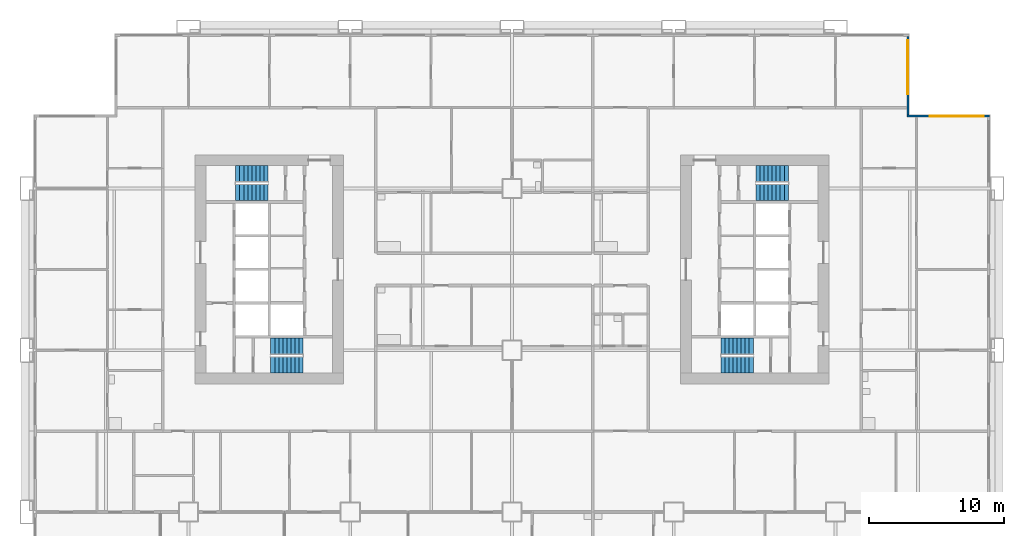
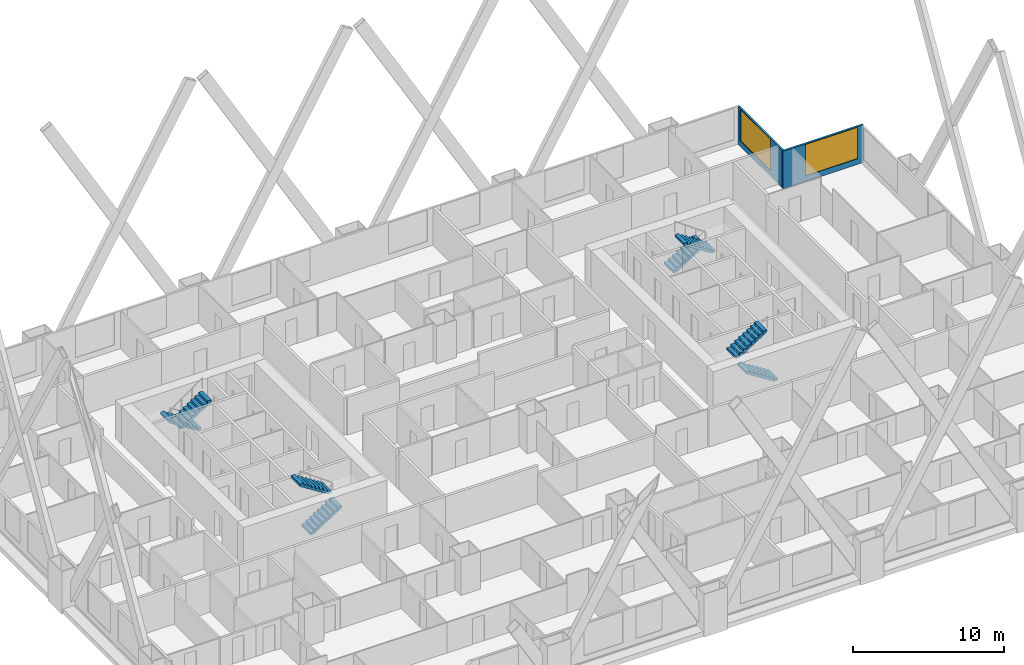
# One storey, part 11 of 13: 8 stair flights, 2 walls, 2 windows, 2 openings, 4 elements without a shape of their own.
"""IFC4 building model written with IfcOpenShell, lengths in metres."""

import ifcopenshell
import ifcopenshell.guid

model = None  # the IFC model being written
_history = None  # IfcOwnerHistory: only IFC2X3 demands one
_inside = {}  # id of a spatial element -> (the spatial element, [elements in it])
_under = {}  # id of a project, library or spatial element -> (it, [spatial elements below it])
_declared = {}  # id of a project -> (the project, [libraries it declares])
_typed = {}  # id of a type object -> (the type object, [elements of that type])
_made_of = {}  # id of a material, layer set ... -> (it, [elements and type objects made of it])


def new_model(schema):
    """Start an empty IFC model of exactly this schema.

    Asked for "IFC4X3", IfcOpenShell would pick the latest addendum, in which some entities
    have other attributes; the version numbers below select the first issue.
    IFC2X3 requires an IfcOwnerHistory on every rooted entity: one is made here for all.
    """
    global model, _history
    if schema == "IFC4X3":
        model = ifcopenshell.file(schema_version=(4, 3, 0, 0))
    else:
        model = ifcopenshell.file(schema=schema)
    _inside.clear()
    _under.clear()
    _declared.clear()
    _typed.clear()
    _made_of.clear()
    _history = None
    if model.schema == "IFC2X3":
        org = make("IfcOrganization", Name="unknown")
        user = make(
            "IfcPersonAndOrganization",
            ThePerson=make("IfcPerson", FamilyName="unknown"),
            TheOrganization=org,
        )
        app = make(
            "IfcApplication",
            ApplicationDeveloper=org,
            Version="unknown",
            ApplicationFullName="unknown",
            ApplicationIdentifier="unknown",
        )
        _history = make(
            "IfcOwnerHistory",
            OwningUser=user,
            OwningApplication=app,
            ChangeAction="ADDED",
            CreationDate=0,
        )
    return model


def make(cls, **values):
    """One entity of the class cls with the attributes given. An attribute that is None is left unset."""
    return model.create_entity(
        cls, **{name: value for name, value in values.items() if value is not None}
    )


def rooted(cls, **values):
    """An entity with a GlobalId (a new one), such as an element, a storey or a relation."""
    return make(cls, GlobalId=ifcopenshell.guid.new(), OwnerHistory=_history, **values)


def si_unit(unit_type, name, prefix=None):
    """IfcSIUnit, for example si_unit("LENGTHUNIT", "METRE", prefix="MILLI")."""
    return make("IfcSIUnit", UnitType=unit_type, Prefix=prefix, Name=name)


def assignment(units):
    """IfcUnitAssignment: the units of a project."""
    return None if units is None else make("IfcUnitAssignment", Units=units)


def point(xyz):
    """IfcCartesianPoint."""
    return None if xyz is None else make("IfcCartesianPoint", Coordinates=xyz)


def direction(xyz):
    """IfcDirection."""
    return None if xyz is None else make("IfcDirection", DirectionRatios=xyz)


def frame(location, z_axis=None, x_axis=None):
    """IfcAxis2Placement3D, a coordinate frame: its origin and axes. An axis left out is left unset."""
    return make(
        "IfcAxis2Placement3D",
        Location=point(location),
        Axis=direction(z_axis),
        RefDirection=direction(x_axis),
    )


def frame_2d(location, x_axis=None):
    """IfcAxis2Placement2D, a coordinate frame in the plane: its origin and x axis."""
    return make(
        "IfcAxis2Placement2D", Location=point(location), RefDirection=direction(x_axis)
    )


def origin():
    """The frame at (0, 0, 0) with its axes left unset."""
    return frame((0.0, 0.0, 0.0))


def place(relative_to, where):
    """IfcLocalPlacement: puts the frame where relative to a parent placement (None: the world)."""
    return make(
        "IfcLocalPlacement", PlacementRelTo=relative_to, RelativePlacement=where
    )


def context(
    kind, dimensions, precision=None, world=None, true_north=None, identifier=None
):
    """IfcGeometricRepresentationContext, for example the 3D "Model" context."""
    return make(
        "IfcGeometricRepresentationContext",
        ContextIdentifier=identifier,
        ContextType=kind,
        CoordinateSpaceDimension=dimensions,
        Precision=precision,
        WorldCoordinateSystem=world,
        TrueNorth=true_north,
    )


def subcontext(parent, identifier, kind, view, scale=None):
    """IfcGeometricRepresentationSubContext, for example "Body" below "Model"."""
    return make(
        "IfcGeometricRepresentationSubContext",
        ContextIdentifier=identifier,
        ContextType=kind,
        ParentContext=parent,
        TargetScale=scale,
        TargetView=view,
    )


def project(units=None, contexts=None):
    """IfcProject with its units and contexts."""
    return rooted(
        "IfcProject",
        Name="project",
        RepresentationContexts=contexts,
        UnitsInContext=assignment(units),
    )


def spatial(cls, under=None, at=None, **own):
    """A site, building, storey or space (cls), placed at a placement, below another one or the project."""
    s = rooted(cls, ObjectPlacement=at, **own)
    if under is not None:
        _under.setdefault(under.id(), (under, []))[1].append(s)
    return s


def polyline(points):
    """IfcPolyline through the points."""
    return make("IfcPolyline", Points=[point(p) for p in points])


def profile(cls, at=None, kind="AREA", **sizes):
    """A parametric profile (cls). Its sizes go by their IFC names, for example OverallWidth=200.0."""
    return make(cls, ProfileType=kind, Position=at, **sizes)


def rectangle(**sizes):
    """IfcRectangleProfileDef."""
    return profile("IfcRectangleProfileDef", **sizes)


def outline(outer, holes=None, kind="AREA"):
    """IfcArbitraryClosedProfileDef: a profile drawn as a closed curve; with holes, ...WithVoids."""
    if holes is None:
        return make("IfcArbitraryClosedProfileDef", ProfileType=kind, OuterCurve=outer)
    return make(
        "IfcArbitraryProfileDefWithVoids",
        ProfileType=kind,
        OuterCurve=outer,
        InnerCurves=holes,
    )


def extrude(swept, where, along, depth):
    """IfcExtrudedAreaSolid: the profile swept, set in the frame where, extruded along a direction by depth."""
    return make(
        "IfcExtrudedAreaSolid",
        SweptArea=swept,
        Position=where,
        ExtrudedDirection=direction(along),
        Depth=depth,
    )


def shape(context_of_items, identifier, shape_type, items):
    """IfcShapeRepresentation: the items that make up one representation, for example the "Body"."""
    return make(
        "IfcShapeRepresentation",
        ContextOfItems=context_of_items,
        RepresentationIdentifier=identifier,
        RepresentationType=shape_type,
        Items=items,
    )


def material(Name=None, Category=None):
    """IfcMaterial."""
    return make("IfcMaterial", Name=Name, Category=Category)


def layer(
    of_material, thickness, ventilated=None, Name=None, Category=None, Priority=None
):
    """IfcMaterialLayer: one layer of a wall or slab, of a material (None: an air gap)."""
    return make(
        "IfcMaterialLayer",
        Material=of_material,
        LayerThickness=thickness,
        IsVentilated=ventilated,
        Name=Name,
        Category=Category,
        Priority=Priority,
    )


def layer_set(layers, Name=None):
    """IfcMaterialLayerSet."""
    return make("IfcMaterialLayerSet", MaterialLayers=layers, LayerSetName=Name)


def made_of(thing, what):
    """Note that an element or type object is made of a material, layer set ...; save() writes the relation."""
    if what is not None:
        _made_of.setdefault(what.id(), (what, []))[1].append(thing)
    return thing


def type_object(cls, material=None, **own):
    """A type object (cls), such as IfcWallType, which elements share."""
    return made_of(rooted(cls, **own), material)


def element(
    cls,
    number,
    at=None,
    inside=None,
    cuts=None,
    type_object=None,
    material=None,
    context=None,
    identifier="Body",
    shape_type=None,
    held_by="IfcProductDefinitionShape",
    body=None,
    shapes=None,
    **own,
):
    """One element of the class cls, such as IfcWall. Its Tag is "e" and its number.

    at: its placement. inside: the storey or other place that contains it. cuts: it is an
    opening in that element (IfcRelVoidsElement). A single representation is given by context,
    identifier, shape_type and body (its items); several are given by shapes. held_by: the class
    of the entity that holds the representations. save() writes the other relations.
    """
    e = rooted(cls, Tag="e%d" % number, ObjectPlacement=at, **own)
    if body is not None:
        shapes = [shape(context, identifier, shape_type, body)]
    if shapes is not None:
        e.Representation = make(held_by, Representations=shapes)
    if inside is not None:
        _inside.setdefault(inside.id(), (inside, []))[1].append(e)
    if cuts is not None:
        rooted(
            "IfcRelVoidsElement", RelatingBuildingElement=cuts, RelatedOpeningElement=e
        )
    if type_object is not None:
        _typed.setdefault(type_object.id(), (type_object, []))[1].append(e)
    return made_of(e, material)


def fill(opening, filler):
    """IfcRelFillsElement: the door or window that sits in an opening."""
    return rooted(
        "IfcRelFillsElement",
        RelatingOpeningElement=opening,
        RelatedBuildingElement=filler,
    )


def aggregate(whole, parts):
    """IfcRelAggregates: a whole, such as a stair, and the parts it consists of."""
    return rooted("IfcRelAggregates", RelatingObject=whole, RelatedObjects=parts)


def save(model, path):
    """Write the relations noted so far, then the file.

    IfcRelAggregates (storeys below a building ...), IfcRelContainedInSpatialStructure (elements
    in a storey), IfcRelDefinesByType, IfcRelAssociatesMaterial and IfcRelDeclares: one each for
    every whole, place, type object, material and project.
    """
    for whole, parts in _under.values():
        aggregate(whole, parts)
    for where, things in _inside.values():
        rooted(
            "IfcRelContainedInSpatialStructure",
            RelatedElements=things,
            RelatingStructure=where,
        )
    for kind, things in _typed.values():
        rooted("IfcRelDefinesByType", RelatedObjects=things, RelatingType=kind)
    for what, things in _made_of.values():
        rooted("IfcRelAssociatesMaterial", RelatedObjects=things, RelatingMaterial=what)
    for by, libraries in _declared.values():
        rooted("IfcRelDeclares", RelatingContext=by, RelatedDefinitions=libraries)
    model.write(path)


model = new_model("IFC4")

# Units and contexts
model_context = context("Model", 3, precision=1e-05, world=origin(), true_north=direction((0.0, 1.0)))
body_context = subcontext(model_context, "Body", "Model", "MODEL_VIEW")
ifc_project = project(units=[si_unit("LENGTHUNIT", "METRE"), si_unit("AREAUNIT", "SQUARE_METRE"), si_unit("VOLUMEUNIT", "CUBIC_METRE"), si_unit("PLANEANGLEUNIT", "RADIAN"), si_unit("MASSUNIT", "GRAM", prefix="KILO")], contexts=[model_context])

# Site, building, storey
site_placement = place(None, origin())
site = spatial("IfcSite", under=ifc_project, at=site_placement, CompositionType="ELEMENT")
building_placement = place(site_placement, origin())
building = spatial("IfcBuilding", under=site, at=building_placement, Name="Kitamizu Gate Tower and Museum", CompositionType="ELEMENT")
storey_placement = place(building_placement, frame((0.0, 0.0, 50.699951171875)))
storey = spatial("IfcBuildingStorey", under=building, at=storey_placement, Name="L11", CompositionType="ELEMENT", Elevation=50.699951171875)

# Wall, opening, window
ifc_material_1 = material(Name="Bronze anodised aluminium frame with insulated spandrel and tinted glass", Category="aluminium")
ifc_layer = layer(ifc_material_1, 0.14990234375)
ifc_layer_set = layer_set([ifc_layer], Name="Bronze anodised aluminium frame with insulated spandrel and tinted glass")
wall_type = type_object("IfcWallType", Name="WINDOW WALL 150 BRONZE FRAME EI 30", PredefinedType="ELEMENTEDWALL", material=ifc_layer_set)
wall_1_placement = place(storey_placement, frame((65.2900390625, 41.364990234375, 0.0), z_axis=(0.0, 0.0, 1.0), x_axis=(1.0, 0.0, 0.0)))
wall_1 = element("IfcWall", 1, at=wall_1_placement, inside=storey, type_object=wall_type, Name="Window wall north L11", PredefinedType="ELEMENTEDWALL", context=body_context, shape_type="SweptSolid", body=[
    extrude(rectangle(XDim=6.14990234375, YDim=0.14990234375, at=frame_2d((3.074951171875, 0.0))), origin(), (0.0, 0.0, 1.0), 3.050048828125),
])
opening_1_placement = place(wall_1_placement, frame((1.7099609375, 0.0, 0.449951171875)))
opening_1 = element("IfcOpeningElement", 2, at=opening_1_placement, cuts=wall_1, Name="Opening W16", PredefinedType="OPENING", context=body_context, shape_type="SweptSolid", body=[
    extrude(rectangle(XDim=4.0, YDim=2.550048828125, at=frame_2d((2.0, 1.27490234375))), frame((0.0, 0.0849609375, 0.0), z_axis=(0.0, -1.0, 0.0), x_axis=(1.0, 0.0, 0.0)), (0.0, 0.0, 1.0), 0.169921875),
])
ifc_material_2 = material(Name="Bronze anodised aluminium frame, tinted triple glazing", Category="aluminium")
window_type = type_object("IfcWindowType", Name="WINDOW 4000 x 2550 SILL 450", PartitioningType="SINGLE_PANEL", PredefinedType="WINDOW", material=ifc_material_2)
window_1_placement = place(opening_1_placement, origin())
window_1 = element("IfcWindow", 3, at=window_1_placement, inside=storey, type_object=window_type, Name="Window W16 L11", OverallHeight=2.550048828125, OverallWidth=4.0, PartitioningType="SINGLE_PANEL", PredefinedType="WINDOW", context=body_context, shape_type="SweptSolid", body=[
    extrude(rectangle(XDim=4.0, YDim=2.550048828125, at=frame_2d((2.0, 1.27490234375))), frame((0.0, 0.030029296875, 0.0), z_axis=(0.0, -1.0, 0.0), x_axis=(1.0, 0.0, 0.0)), (0.0, 0.0, 1.0), 0.06005859375),
])
fill(opening_1, window_1)

wall_2_placement = place(storey_placement, frame((65.364990234375, 41.43994140625, 0.0), z_axis=(0.0, 0.0, 1.0), x_axis=(0.0, 1.0, 0.0)))
wall_2 = element("IfcWall", 4, at=wall_2_placement, inside=storey, type_object=wall_type, Name="Window wall east L11", PredefinedType="ELEMENTEDWALL", context=body_context, shape_type="SweptSolid", body=[
    extrude(rectangle(XDim=5.85009765625, YDim=0.14990234375, at=frame_2d((2.925048828125, 0.0))), origin(), (0.0, 0.0, 1.0), 3.050048828125),
])
opening_2_placement = place(wall_2_placement, frame((1.56005859375, 0.0, 0.449951171875)))
opening_2 = element("IfcOpeningElement", 5, at=opening_2_placement, cuts=wall_2, Name="Opening W16", PredefinedType="OPENING", context=body_context, shape_type="SweptSolid", body=[
    extrude(rectangle(XDim=4.0, YDim=2.550048828125, at=frame_2d((2.0, 1.27490234375))), frame((0.0, 0.0849609375, 0.0), z_axis=(0.0, -1.0, 0.0), x_axis=(1.0, 0.0, 0.0)), (0.0, 0.0, 1.0), 0.169921875),
])
window_2_placement = place(opening_2_placement, origin())
window_2 = element("IfcWindow", 6, at=window_2_placement, inside=storey, type_object=window_type, Name="Window W16 L11", OverallHeight=2.550048828125, OverallWidth=4.0, PartitioningType="SINGLE_PANEL", PredefinedType="WINDOW", context=body_context, shape_type="SweptSolid", body=[
    extrude(rectangle(XDim=4.0, YDim=2.550048828125, at=frame_2d((2.0, 1.27490234375))), frame((0.0, 0.030029296875, 0.0), z_axis=(0.0, -1.0, 0.0), x_axis=(1.0, 0.0, 0.0)), (0.0, 0.0, 1.0), 0.06005859375),
])
fill(opening_2, window_2)

# Stair, stair flights
ifc_material_3 = material(Name="Concrete Fc42", Category="concrete")
stair_type = type_object("IfcStairType", Name="Exit stair 1200 wide 192 rise 300 going", PredefinedType="HALF_TURN_STAIR", material=ifc_material_3)
stair_1_placement = place(storey_placement, origin())
stair_1 = element("IfcStair", 7, at=stair_1_placement, inside=storey, type_object=stair_type, Name="Exit stair ST1", PredefinedType="HALF_TURN_STAIR")
ifc_material_4 = material(Name="Concrete Fc42", Category="concrete")
stair_flight_type = type_object("IfcStairFlightType", Name="Stair flight 1200 wide 192 rise 300 going", PredefinedType="STRAIGHT", material=ifc_material_4)
stair_flight_1_placement = place(storey_placement, frame((18.10009765625, 22.89990234375, 0.0), z_axis=(0.0, 0.0, 1.0), x_axis=(1.0, 0.0, 0.0)))
stair_flight_1 = element("IfcStairFlight", 8, at=stair_flight_1_placement, type_object=stair_flight_type, Name="ST1 flight 1", NumberOfRisers=9, NumberOfTreads=8, PredefinedType="STRAIGHT", RiserHeight=0.191666667, TreadLength=0.3, context=body_context, shape_type="SweptSolid", body=[
    extrude(outline(polyline([(0.0, 0.0), (0.0, 0.191650390625), (0.300048828125, 0.191650390625), (0.300048828125, 0.38330078125), (0.60009765625, 0.38330078125), (0.60009765625, 0.574951171875), (0.89990234375, 0.574951171875), (0.89990234375, 0.7666015625), (1.199951171875, 0.7666015625), (1.199951171875, 0.958251953125), (1.5, 0.958251953125), (1.5, 1.14990234375), (1.800048828125, 1.14990234375), (1.800048828125, 1.341552734375), (2.10009765625, 1.341552734375), (2.10009765625, 1.533447265625), (2.39990234375, 1.533447265625), (2.39990234375, 1.72509765625), (2.39990234375, 1.35546875), (0.2783203125, 0.0), (0.0, 0.0)])), frame((0.0, 0.60009765625, 0.0), z_axis=(0.0, -1.0, 0.0), x_axis=(1.0, 0.0, 0.0)), (0.0, 0.0, 1.0), 1.199951171875),
])
stair_flight_2_placement = place(storey_placement, frame((20.5, 24.300048828125, 1.72509765625), z_axis=(0.0, 0.0, 1.0), x_axis=(-1.0, 0.0, 0.0)))
stair_flight_2 = element("IfcStairFlight", 9, at=stair_flight_2_placement, type_object=stair_flight_type, Name="ST1 flight 2", NumberOfRisers=9, NumberOfTreads=8, PredefinedType="STRAIGHT", RiserHeight=0.191666667, TreadLength=0.3, context=body_context, shape_type="SweptSolid", body=[
    extrude(outline(polyline([(0.0, 0.0), (0.0, 0.191650390625), (0.300048828125, 0.191650390625), (0.300048828125, 0.38330078125), (0.60009765625, 0.38330078125), (0.60009765625, 0.574951171875), (0.89990234375, 0.574951171875), (0.89990234375, 0.7666015625), (1.199951171875, 0.7666015625), (1.199951171875, 0.958251953125), (1.5, 0.958251953125), (1.5, 1.14990234375), (1.800048828125, 1.14990234375), (1.800048828125, 1.341552734375), (2.10009765625, 1.341552734375), (2.10009765625, 1.533447265625), (2.39990234375, 1.533447265625), (2.39990234375, 1.72509765625), (2.39990234375, 1.35546875), (0.2783203125, 0.0), (0.0, 0.0)])), frame((0.0, 0.60009765625, 0.0), z_axis=(0.0, -1.0, 0.0), x_axis=(1.0, 0.0, 0.0)), (0.0, 0.0, 1.0), 1.199951171875),
])
aggregate(stair_1, [stair_flight_1, stair_flight_2])

stair_2_placement = place(storey_placement, origin())
stair_2 = element("IfcStair", 10, at=stair_2_placement, inside=storey, type_object=stair_type, Name="Exit stair ST2", PredefinedType="HALF_TURN_STAIR")
stair_flight_3_placement = place(storey_placement, frame((17.89990234375, 37.10009765625, 0.0), z_axis=(0.0, 0.0, 1.0), x_axis=(-1.0, 0.0, 0.0)))
stair_flight_3 = element("IfcStairFlight", 11, at=stair_flight_3_placement, type_object=stair_flight_type, Name="ST2 flight 1", NumberOfRisers=9, NumberOfTreads=8, PredefinedType="STRAIGHT", RiserHeight=0.191666667, TreadLength=0.3, context=body_context, shape_type="SweptSolid", body=[
    extrude(outline(polyline([(0.0, 0.0), (0.0, 0.191650390625), (0.300048828125, 0.191650390625), (0.300048828125, 0.38330078125), (0.60009765625, 0.38330078125), (0.60009765625, 0.574951171875), (0.89990234375, 0.574951171875), (0.89990234375, 0.7666015625), (1.199951171875, 0.7666015625), (1.199951171875, 0.958251953125), (1.5, 0.958251953125), (1.5, 1.14990234375), (1.800048828125, 1.14990234375), (1.800048828125, 1.341552734375), (2.10009765625, 1.341552734375), (2.10009765625, 1.533447265625), (2.39990234375, 1.533447265625), (2.39990234375, 1.72509765625), (2.39990234375, 1.35546875), (0.2783203125, 0.0), (0.0, 0.0)])), frame((0.0, 0.60009765625, 0.0), z_axis=(0.0, -1.0, 0.0), x_axis=(1.0, 0.0, 0.0)), (0.0, 0.0, 1.0), 1.199951171875),
])
stair_flight_4_placement = place(storey_placement, frame((15.5, 35.699951171875, 1.72509765625), z_axis=(0.0, 0.0, 1.0), x_axis=(1.0, 0.0, 0.0)))
stair_flight_4 = element("IfcStairFlight", 12, at=stair_flight_4_placement, type_object=stair_flight_type, Name="ST2 flight 2", NumberOfRisers=9, NumberOfTreads=8, PredefinedType="STRAIGHT", RiserHeight=0.191666667, TreadLength=0.3, context=body_context, shape_type="SweptSolid", body=[
    extrude(outline(polyline([(0.0, 0.0), (0.0, 0.191650390625), (0.300048828125, 0.191650390625), (0.300048828125, 0.38330078125), (0.60009765625, 0.38330078125), (0.60009765625, 0.574951171875), (0.89990234375, 0.574951171875), (0.89990234375, 0.7666015625), (1.199951171875, 0.7666015625), (1.199951171875, 0.958251953125), (1.5, 0.958251953125), (1.5, 1.14990234375), (1.800048828125, 1.14990234375), (1.800048828125, 1.341552734375), (2.10009765625, 1.341552734375), (2.10009765625, 1.533447265625), (2.39990234375, 1.533447265625), (2.39990234375, 1.72509765625), (2.39990234375, 1.35546875), (0.2783203125, 0.0), (0.0, 0.0)])), frame((0.0, 0.60009765625, 0.0), z_axis=(0.0, -1.0, 0.0), x_axis=(1.0, 0.0, 0.0)), (0.0, 0.0, 1.0), 1.199951171875),
])
aggregate(stair_2, [stair_flight_3, stair_flight_4])

stair_3_placement = place(storey_placement, origin())
stair_3 = element("IfcStair", 13, at=stair_3_placement, inside=storey, type_object=stair_type, Name="Exit stair ST3", PredefinedType="HALF_TURN_STAIR")
stair_flight_5_placement = place(storey_placement, frame((53.89990234375, 22.89990234375, 0.0), z_axis=(0.0, 0.0, 1.0), x_axis=(-1.0, 0.0, 0.0)))
stair_flight_5 = element("IfcStairFlight", 14, at=stair_flight_5_placement, type_object=stair_flight_type, Name="ST3 flight 1", NumberOfRisers=9, NumberOfTreads=8, PredefinedType="STRAIGHT", RiserHeight=0.191666667, TreadLength=0.3, context=body_context, shape_type="SweptSolid", body=[
    extrude(outline(polyline([(0.0, 0.0), (0.0, 0.191650390625), (0.300048828125, 0.191650390625), (0.300048828125, 0.38330078125), (0.60009765625, 0.38330078125), (0.60009765625, 0.574951171875), (0.89990234375, 0.574951171875), (0.89990234375, 0.7666015625), (1.199951171875, 0.7666015625), (1.199951171875, 0.958251953125), (1.5, 0.958251953125), (1.5, 1.14990234375), (1.800048828125, 1.14990234375), (1.800048828125, 1.341552734375), (2.10009765625, 1.341552734375), (2.10009765625, 1.533447265625), (2.39990234375, 1.533447265625), (2.39990234375, 1.72509765625), (2.39990234375, 1.35546875), (0.2783203125, 0.0), (0.0, 0.0)])), frame((0.0, 0.60009765625, 0.0), z_axis=(0.0, -1.0, 0.0), x_axis=(1.0, 0.0, 0.0)), (0.0, 0.0, 1.0), 1.199951171875),
])
stair_flight_6_placement = place(storey_placement, frame((51.5, 24.300048828125, 1.72509765625), z_axis=(0.0, 0.0, 1.0), x_axis=(1.0, 0.0, 0.0)))
stair_flight_6 = element("IfcStairFlight", 15, at=stair_flight_6_placement, type_object=stair_flight_type, Name="ST3 flight 2", NumberOfRisers=9, NumberOfTreads=8, PredefinedType="STRAIGHT", RiserHeight=0.191666667, TreadLength=0.3, context=body_context, shape_type="SweptSolid", body=[
    extrude(outline(polyline([(0.0, 0.0), (0.0, 0.191650390625), (0.300048828125, 0.191650390625), (0.300048828125, 0.38330078125), (0.60009765625, 0.38330078125), (0.60009765625, 0.574951171875), (0.89990234375, 0.574951171875), (0.89990234375, 0.7666015625), (1.199951171875, 0.7666015625), (1.199951171875, 0.958251953125), (1.5, 0.958251953125), (1.5, 1.14990234375), (1.800048828125, 1.14990234375), (1.800048828125, 1.341552734375), (2.10009765625, 1.341552734375), (2.10009765625, 1.533447265625), (2.39990234375, 1.533447265625), (2.39990234375, 1.72509765625), (2.39990234375, 1.35546875), (0.2783203125, 0.0), (0.0, 0.0)])), frame((0.0, 0.60009765625, 0.0), z_axis=(0.0, -1.0, 0.0), x_axis=(1.0, 0.0, 0.0)), (0.0, 0.0, 1.0), 1.199951171875),
])
aggregate(stair_3, [stair_flight_5, stair_flight_6])

stair_4_placement = place(storey_placement, origin())
stair_4 = element("IfcStair", 16, at=stair_4_placement, inside=storey, type_object=stair_type, Name="Exit stair ST4", PredefinedType="HALF_TURN_STAIR")
stair_flight_7_placement = place(storey_placement, frame((54.10009765625, 37.10009765625, 0.0), z_axis=(0.0, 0.0, 1.0), x_axis=(1.0, 0.0, 0.0)))
stair_flight_7 = element("IfcStairFlight", 17, at=stair_flight_7_placement, type_object=stair_flight_type, Name="ST4 flight 1", NumberOfRisers=9, NumberOfTreads=8, PredefinedType="STRAIGHT", RiserHeight=0.191666667, TreadLength=0.3, context=body_context, shape_type="SweptSolid", body=[
    extrude(outline(polyline([(0.0, 0.0), (0.0, 0.191650390625), (0.300048828125, 0.191650390625), (0.300048828125, 0.38330078125), (0.60009765625, 0.38330078125), (0.60009765625, 0.574951171875), (0.89990234375, 0.574951171875), (0.89990234375, 0.7666015625), (1.199951171875, 0.7666015625), (1.199951171875, 0.958251953125), (1.5, 0.958251953125), (1.5, 1.14990234375), (1.800048828125, 1.14990234375), (1.800048828125, 1.341552734375), (2.10009765625, 1.341552734375), (2.10009765625, 1.533447265625), (2.39990234375, 1.533447265625), (2.39990234375, 1.72509765625), (2.39990234375, 1.35546875), (0.2783203125, 0.0), (0.0, 0.0)])), frame((0.0, 0.60009765625, 0.0), z_axis=(0.0, -1.0, 0.0), x_axis=(1.0, 0.0, 0.0)), (0.0, 0.0, 1.0), 1.199951171875),
])
stair_flight_8_placement = place(storey_placement, frame((56.5, 35.699951171875, 1.72509765625), z_axis=(0.0, 0.0, 1.0), x_axis=(-1.0, 0.0, 0.0)))
stair_flight_8 = element("IfcStairFlight", 18, at=stair_flight_8_placement, type_object=stair_flight_type, Name="ST4 flight 2", NumberOfRisers=9, NumberOfTreads=8, PredefinedType="STRAIGHT", RiserHeight=0.191666667, TreadLength=0.3, context=body_context, shape_type="SweptSolid", body=[
    extrude(outline(polyline([(0.0, 0.0), (0.0, 0.191650390625), (0.300048828125, 0.191650390625), (0.300048828125, 0.38330078125), (0.60009765625, 0.38330078125), (0.60009765625, 0.574951171875), (0.89990234375, 0.574951171875), (0.89990234375, 0.7666015625), (1.199951171875, 0.7666015625), (1.199951171875, 0.958251953125), (1.5, 0.958251953125), (1.5, 1.14990234375), (1.800048828125, 1.14990234375), (1.800048828125, 1.341552734375), (2.10009765625, 1.341552734375), (2.10009765625, 1.533447265625), (2.39990234375, 1.533447265625), (2.39990234375, 1.72509765625), (2.39990234375, 1.35546875), (0.2783203125, 0.0), (0.0, 0.0)])), frame((0.0, 0.60009765625, 0.0), z_axis=(0.0, -1.0, 0.0), x_axis=(1.0, 0.0, 0.0)), (0.0, 0.0, 1.0), 1.199951171875),
])
aggregate(stair_4, [stair_flight_7, stair_flight_8])

save(model, "model.ifc")
